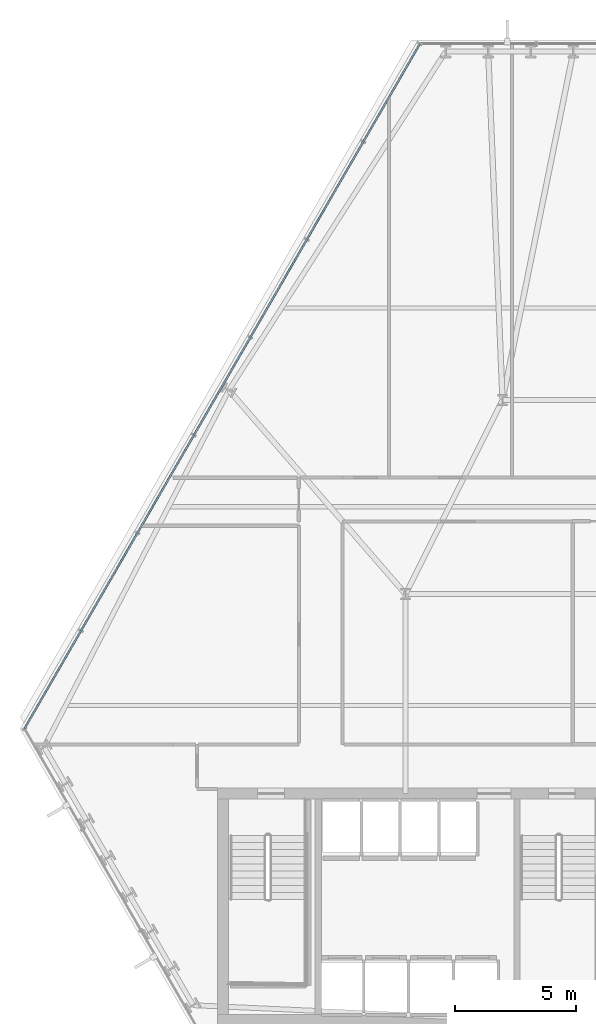
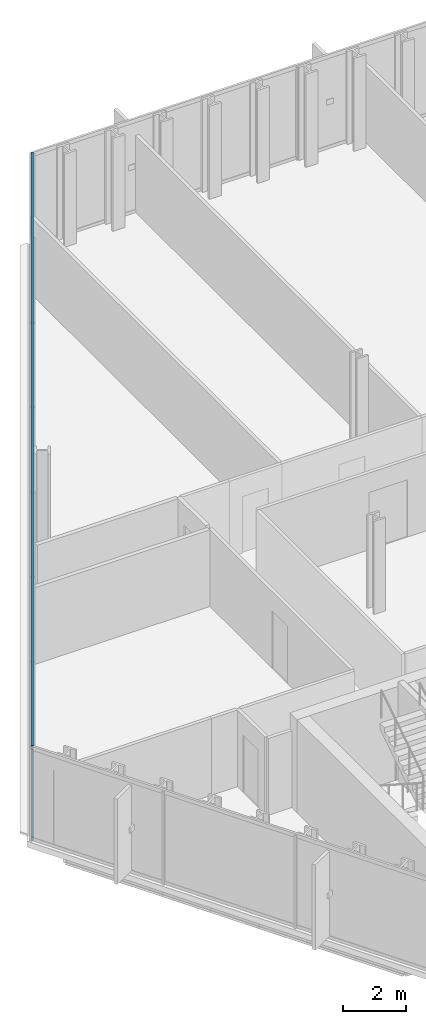
# One storey, part 13 of 33: 2 members, 1 element without a shape of its own.
"""IFC4 building model written with IfcOpenShell, lengths in metres."""

from ifc_helpers import new_model, si_unit, direction, frame, origin, origin_2d, place, context, subcontext, project, spatial, hollow_rectangle, extrude, material, layer, layer_set, material_profile, profile_set, type_object, element, aggregate, save


model = new_model("IFC4")

# Units and contexts
model_context = context("Model", 3, precision=1e-05, world=origin(), true_north=direction((0.0, 1.0)))
body_context = subcontext(model_context, "Body", "Model", "MODEL_VIEW")
ifc_project = project(units=[si_unit("LENGTHUNIT", "METRE"), si_unit("AREAUNIT", "SQUARE_METRE"), si_unit("VOLUMEUNIT", "CUBIC_METRE"), si_unit("PLANEANGLEUNIT", "RADIAN"), si_unit("MASSUNIT", "GRAM", prefix="KILO")], contexts=[model_context])

# Site, building, storey
site_placement = place(None, origin())
site = spatial("IfcSite", under=ifc_project, at=site_placement, CompositionType="ELEMENT")
building_placement = place(site_placement, origin())
building = spatial("IfcBuilding", under=site, at=building_placement, Name="Ndaravel Arena Tower", CompositionType="ELEMENT")
storey_placement = place(building_placement, frame((0.0, 0.0, 81.60009765625)))
storey = spatial("IfcBuildingStorey", under=building, at=storey_placement, Name="L18", CompositionType="ELEMENT", Elevation=81.60009765625)

# Curtain wall, members
ifc_material_1 = material(Name="Aluminium", Category="aluminium")
ifc_layer = layer(ifc_material_1, 0.179931640625)
ifc_layer_set = layer_set([ifc_layer], Name="Aluminium")
curtain_wall_type = type_object("IfcCurtainWallType", Name="CW-SYS-03", PredefinedType="NOTDEFINED", material=ifc_layer_set)
curtain_wall_placement = place(storey_placement, origin())
curtain_wall = element("IfcCurtainWall", 1, at=curtain_wall_placement, inside=storey, type_object=curtain_wall_type, Name="L18 Faceted Crystal Curtain Wall CW-L18-E05", PredefinedType="NOTDEFINED")
ifc_material_2 = material(Name="Aluminium", Category="aluminium")
ifc_material_profile = material_profile(ifc_material_2, hollow_rectangle(XDim=0.074951171875, YDim=0.14990234375, WallThickness=0.00390625, at=origin_2d()), Name="CW TRANSOM 75x150x4")
ifc_profile_set = profile_set([ifc_material_profile], Name="Aluminium")
member_type = type_object("IfcMemberType", Name="MEM-CW-TRN150", PredefinedType="USERDEFINED", material=ifc_profile_set)
member_1_placement = place(storey_placement, frame((34.7900390625, 45.89599609375, 0.039794921875), z_axis=(-0.499995870901, -0.866027787708, 0.0), x_axis=(0.866027787708, -0.499995870901, 0.0)))
member_1 = element("IfcMember", 2, at=member_1_placement, type_object=member_type, Name="CW-L18-E05 Transom 01", ObjectType="TRANSOM", PredefinedType="USERDEFINED", context=body_context, shape_type="SweptSolid", body=[
    extrude(hollow_rectangle(XDim=0.074951171875, YDim=0.14990234375, WallThickness=0.00390625, at=origin_2d()), origin(), (0.0, 0.0, 1.0), 32.617919921875),
])
member_2_placement = place(storey_placement, frame((34.7900390625, 45.89599609375, 3.539794921875), z_axis=(-0.499995870901, -0.866027787708, 0.0), x_axis=(0.866027787708, -0.499995870901, 0.0)))
member_2 = element("IfcMember", 3, at=member_2_placement, type_object=member_type, Name="CW-L18-E05 Transom 02", ObjectType="TRANSOM", PredefinedType="USERDEFINED", context=body_context, shape_type="SweptSolid", body=[
    extrude(hollow_rectangle(XDim=0.074951171875, YDim=0.14990234375, WallThickness=0.00390625, at=origin_2d()), origin(), (0.0, 0.0, 1.0), 32.617919921875),
])
aggregate(curtain_wall, [member_1, member_2])

save(model, "model.ifc")
